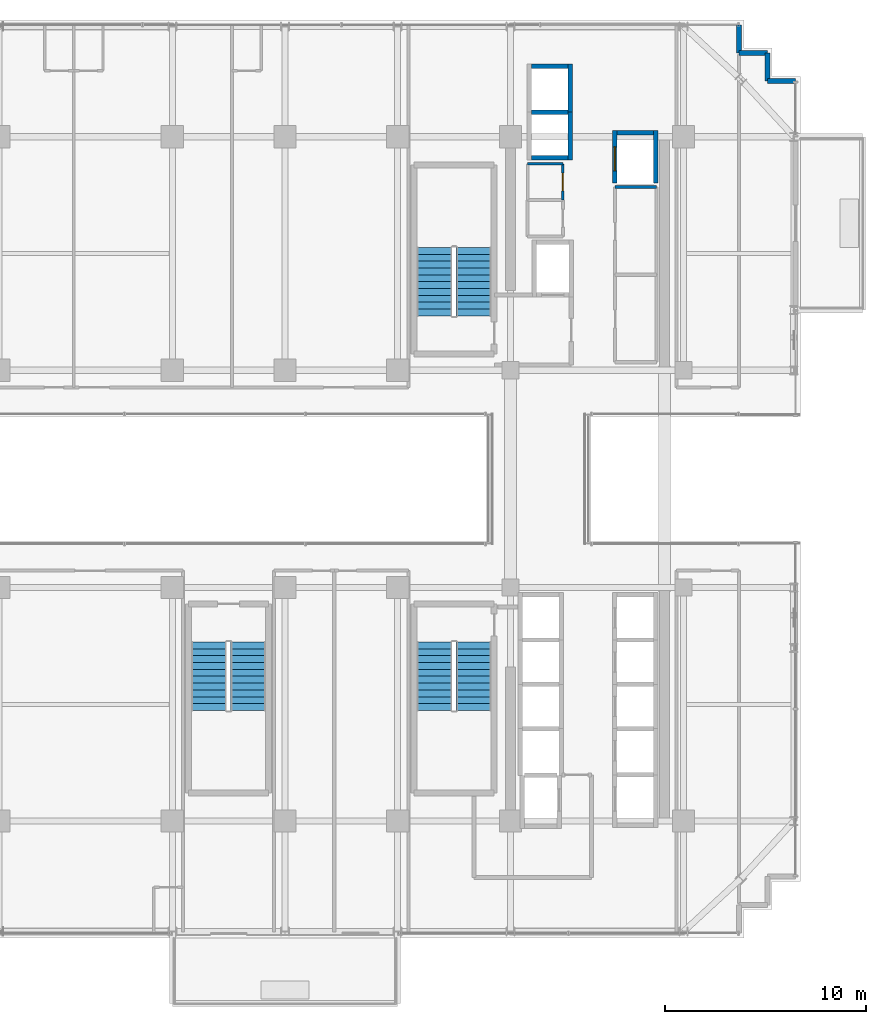
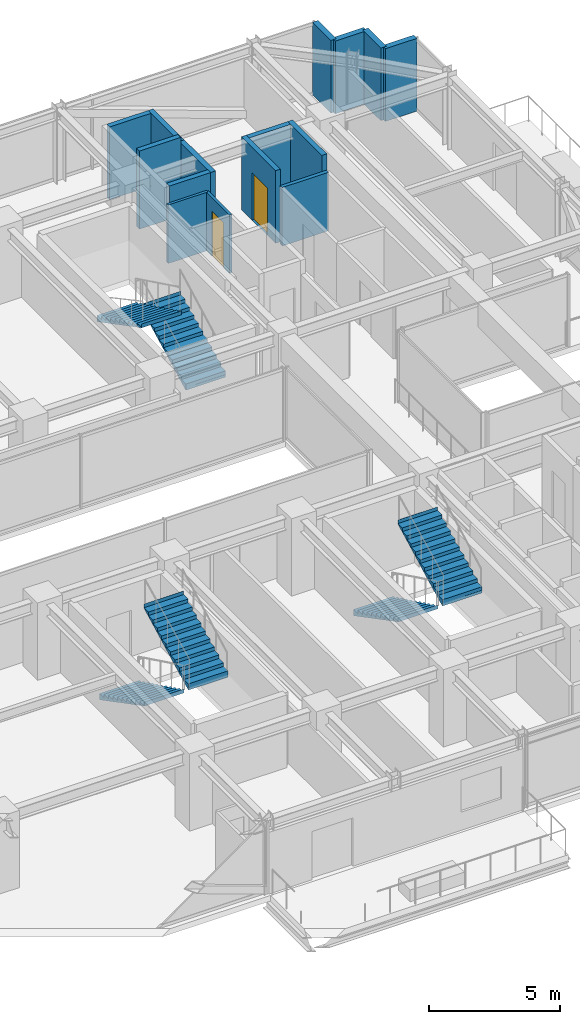
# One storey, part 34 of 38: 15 walls, 6 stair flights, 2 doors, 2 openings, 3 elements without a shape of their own.
"""IFC4 building model written with IfcOpenShell, lengths in metres."""

from ifc_helpers import new_model, si_unit, direction, frame, frame_2d, origin, place, context, subcontext, project, spatial, polyline, rectangle, outline, extrude, source, transform, mapped, material, layer, layer_set, type_object, element, fill, aggregate, save


model = new_model("IFC4")

# Units and contexts
model_context = context("Model", 3, precision=1e-05, world=origin(), true_north=direction((0.0, 1.0)))
body_context = subcontext(model_context, "Body", "Model", "MODEL_VIEW")
ifc_project = project(units=[si_unit("LENGTHUNIT", "METRE"), si_unit("AREAUNIT", "SQUARE_METRE"), si_unit("VOLUMEUNIT", "CUBIC_METRE"), si_unit("PLANEANGLEUNIT", "RADIAN"), si_unit("MASSUNIT", "GRAM", prefix="KILO")], contexts=[model_context])

# Site, building, storey
site_placement = place(None, origin())
site = spatial("IfcSite", under=ifc_project, at=site_placement, CompositionType="ELEMENT")
building_placement = place(site_placement, origin())
building = spatial("IfcBuilding", under=site, at=building_placement, Name="Nahalor Promenade Grand Hotel", CompositionType="ELEMENT")
storey_placement = place(building_placement, frame((0.0, 0.0, 163.60009765625)))
storey = spatial("IfcBuildingStorey", under=building, at=storey_placement, Name="L41", CompositionType="ELEMENT", Elevation=163.60009765625)

# Walls
ifc_material_1 = material(Name="Concrete B-50 (C40/50)", Category="concrete")
ifc_layer_1 = layer(ifc_material_1, 0.219970703125)
ifc_layer_set_1 = layer_set([ifc_layer_1], Name="Concrete B-50 (C40/50)")
wall_type_1 = type_object("IfcWallType", Name="Wall-LiftShaft-220", PredefinedType="SHEAR", material=ifc_layer_set_1)
shared_shape_1 = source(origin(), body_context, "Body", "SweptSolid", [
    extrude(rectangle(XDim=1.820068359375, YDim=0.219970703125, at=frame_2d((0.91015625, 0.0))), origin(), (0.0, 0.0, 1.0), 3.64990234375),
])
wall_1_placement = place(storey_placement, frame((9.43994140625, 18.22509765625, 0.0), z_axis=(0.0, 0.0, 1.0), x_axis=(1.0, 0.0, 0.0)))
element("IfcWall", 1, at=wall_1_placement, inside=storey, type_object=wall_type_1, Name="L41 Lift OB1 Hoistway Wall N", PredefinedType="SHEAR", context=body_context, shape_type="MappedRepresentation", body=[
    mapped(shared_shape_1, transform((0.0, 0.0, 0.0), scale=1.0)),
])
shared_shape_2 = source(origin(), body_context, "Body", "SweptSolid", [
    extrude(rectangle(XDim=1.820068359375, YDim=0.219970703125, at=frame_2d((0.91015625, 0.0))), origin(), (0.0, 0.0, 1.0), 3.389892578125),
])
for number, where, z_axis, x_axis, name in (
    (2, (9.43994140625, 15.949951171875, 0.0), (0.0, 0.0, 1.0), (1.0, 0.0, 0.0), "L41 Lift OB1 Hoistway Wall S"),
    (3, (9.43994140625, 20.5, 0.0), (0.0, 0.0, 1.0), (1.0, 0.0, 0.0), "L41 Lift OB2 Hoistway Wall N"),
    (4, (13.68994140625, 17.199951171875, 0.0), (0.0, 0.0, 1.0), (1.0, 0.0, 0.0), "L41 Lift SV1 Hoistway Wall N"),
):
    element("IfcWall", number, at=place(storey_placement, frame(where, z_axis=z_axis, x_axis=x_axis)), inside=storey, type_object=wall_type_1, Name=name, PredefinedType="SHEAR", context=body_context, shape_type="MappedRepresentation", body=[
        mapped(shared_shape_2, transform((0.0, 0.0, 0.0), scale=1.0)),
    ])
shared_shape_3 = source(origin(), body_context, "Body", "SweptSolid", [
    extrude(rectangle(XDim=2.385009765625, YDim=0.219970703125, at=frame_2d((1.1923828125, 0.0))), origin(), (0.0, 0.0, 1.0), 3.389892578125),
])
for number, where, z_axis, x_axis, name in (
    (5, (11.3701171875, 15.840087890625, 0.0), (0.0, 0.0, 1.0), (0.0, 1.0, 0.0), "L41 Lift OB1 Hoistway Wall E"),
    (6, (11.3701171875, 18.22509765625, 0.0), (0.0, 0.0, 1.0), (0.0, 1.0, 0.0), "L41 Lift OB2 Hoistway Wall E"),
):
    element("IfcWall", number, at=place(storey_placement, frame(where, z_axis=z_axis, x_axis=x_axis)), inside=storey, type_object=wall_type_1, Name=name, PredefinedType="SHEAR", context=body_context, shape_type="MappedRepresentation", body=[
        mapped(shared_shape_3, transform((0.0, 0.0, 0.0), scale=1.0)),
    ])

# Wall, opening, door
shared_shape_4 = source(origin(), body_context, "Body", "SweptSolid", [
    extrude(rectangle(XDim=2.610107421875, YDim=0.219970703125, at=frame_2d((1.30517578125, 0.0))), origin(), (0.0, 0.0, 1.0), 3.389892578125),
])
wall_2_placement = place(storey_placement, frame((13.580078125, 14.699951171875, 0.0), z_axis=(0.0, 0.0, 1.0), x_axis=(0.0, 1.0, 0.0)))
wall_2 = element("IfcWall", 7, at=wall_2_placement, inside=storey, type_object=wall_type_1, Name="L41 Lift SV1 Hoistway Wall W", PredefinedType="SHEAR", context=body_context, shape_type="MappedRepresentation", body=[
    mapped(shared_shape_4, transform((0.0, 0.0, 0.0), scale=1.0)),
])
opening_1_placement = place(wall_2_placement, frame((0.60009765625, 0.0, 0.0)))
opening_1 = element("IfcOpeningElement", 8, at=opening_1_placement, cuts=wall_2, Name="Opening LD-03", PredefinedType="OPENING", context=body_context, shape_type="SweptSolid", body=[
    extrude(rectangle(XDim=1.199951171875, YDim=2.199951171875, at=frame_2d((0.60009765625, 1.10009765625))), frame((0.0, 0.119873046875, 0.0), z_axis=(0.0, -1.0, 0.0), x_axis=(1.0, 0.0, 0.0)), (0.0, 0.0, 1.0), 0.239990234375),
])
ifc_material_2 = material(Name="Steel S355JR", Category="steel")
door_type_1 = type_object("IfcDoorType", Name="Door-LiftService-1200", OperationType="DOUBLE_DOOR_SLIDING", PredefinedType="DOOR", material=ifc_material_2)
shared_shape_5 = source(origin(), body_context, "Body", "SweptSolid", [
    extrude(rectangle(XDim=1.199951171875, YDim=2.199951171875, at=frame_2d((0.60009765625, 1.10009765625))), frame((0.0, 0.02490234375, 0.0), z_axis=(0.0, -1.0, 0.0), x_axis=(1.0, 0.0, 0.0)), (0.0, 0.0, 1.0), 0.050048828125),
])
door_1_placement = place(opening_1_placement, origin())
door_1 = element("IfcDoor", 9, at=door_1_placement, inside=storey, type_object=door_type_1, Name="DR-LIFT-SV1-L41", OperationType="DOUBLE_DOOR_SLIDING", OverallHeight=2.199951171875, OverallWidth=1.199951171875, PredefinedType="DOOR", context=body_context, shape_type="MappedRepresentation", body=[
    mapped(shared_shape_5, transform((0.0, 0.0, 0.0), scale=1.0)),
])
fill(opening_1, door_1)

# Walls
wall_3_placement = place(storey_placement, frame((15.6201171875, 14.699951171875, 0.0), z_axis=(0.0, 0.0, 1.0), x_axis=(0.0, 1.0, 0.0)))
element("IfcWall", 10, at=wall_3_placement, inside=storey, type_object=wall_type_1, Name="L41 Lift SV1 Hoistway Wall E", PredefinedType="SHEAR", context=body_context, shape_type="MappedRepresentation", body=[
    mapped(shared_shape_4, transform((0.0, 0.0, 0.0), scale=1.0)),
])
ifc_material_3 = material(Name="Concrete B-40 (C32/40)", Category="concrete")
ifc_layer_2 = layer(ifc_material_3, 0.25)
ifc_layer_set_2 = layer_set([ifc_layer_2], Name="Concrete B-40 (C32/40)")
wall_type_2 = type_object("IfcWallType", Name="Wall-BronzePier-250", PredefinedType="STANDARD", material=ifc_layer_set_2)
shared_shape_6 = source(origin(), body_context, "Body", "SweptSolid", [
    extrude(rectangle(XDim=1.400146484375, YDim=0.25, at=frame_2d((0.7001953125, 0.0))), origin(), (0.0, 0.0, 1.0), 3.389892578125),
])
for number, where, z_axis, x_axis, name in (
    (11, (21.159912109375, 19.760009765625, 0.0), (0.0, 0.0, 1.0), (1.0, 0.0, 0.0), "W-L41-SR-05"),
    (12, (19.760009765625, 21.159912109375, 0.0), (0.0, 0.0, 1.0), (0.0, 1.0, 0.0), "W-L41-SR-08"),
):
    element("IfcWall", number, at=place(storey_placement, frame(where, z_axis=z_axis, x_axis=x_axis)), inside=storey, type_object=wall_type_2, Name=name, PredefinedType="STANDARD", context=body_context, shape_type="MappedRepresentation", body=[
        mapped(shared_shape_6, transform((0.0, 0.0, 0.0), scale=1.0)),
    ])
shared_shape_7 = source(origin(), body_context, "Body", "SweptSolid", [
    extrude(rectangle(XDim=1.39990234375, YDim=0.25, at=frame_2d((0.699951171875, 0.0))), origin(), (0.0, 0.0, 1.0), 3.389892578125),
])
for number, where, z_axis, x_axis, name in (
    (13, (21.159912109375, 19.760009765625, 0.0), (0.0, 0.0, 1.0), (0.0, 1.0, 0.0), "W-L41-SR-06"),
    (14, (19.760009765625, 21.159912109375, 0.0), (0.0, 0.0, 1.0), (1.0, 0.0, 0.0), "W-L41-SR-07"),
):
    element("IfcWall", number, at=place(storey_placement, frame(where, z_axis=z_axis, x_axis=x_axis)), inside=storey, type_object=wall_type_2, Name=name, PredefinedType="STANDARD", context=body_context, shape_type="MappedRepresentation", body=[
        mapped(shared_shape_7, transform((0.0, 0.0, 0.0), scale=1.0)),
    ])
ifc_material_4 = material(Name="Acoustic Mineral Gypsum", Category="gypsum")
ifc_layer_3 = layer(ifc_material_4, 0.159912109375)
ifc_layer_set_3 = layer_set([ifc_layer_3], Name="Acoustic Mineral Gypsum")
wall_type_3 = type_object("IfcWallType", Name="Wall-PartCorridor-160", PredefinedType="PARTITIONING", material=ifc_layer_set_3)
shared_shape_8 = source(origin(), body_context, "Body", "SweptSolid", [
    extrude(rectangle(XDim=2.0498046875, YDim=0.159912109375, at=frame_2d((1.02490234375, 0.0))), origin(), (0.0, 0.0, 1.0), 2.72998046875),
])
wall_4_placement = place(storey_placement, frame((13.60009765625, 14.5, 0.0), z_axis=(0.0, 0.0, 1.0), x_axis=(1.0, 0.0, 0.0)))
element("IfcWall", 15, at=wall_4_placement, inside=storey, type_object=wall_type_3, Name="W-L41-FRB1B-N", PredefinedType="PARTITIONING", context=body_context, shape_type="MappedRepresentation", body=[
    mapped(shared_shape_8, transform((0.0, 0.0, 0.0), scale=1.0)),
])
ifc_layer_4 = layer(ifc_material_4, 0.1201171875)
ifc_layer_set_4 = layer_set([ifc_layer_4], Name="Acoustic Mineral Gypsum")
wall_type_4 = type_object("IfcWallType", Name="Wall-PartBath-120", PredefinedType="PARTITIONING", material=ifc_layer_set_4)
shared_shape_9 = source(origin(), body_context, "Body", "SweptSolid", [
    extrude(rectangle(XDim=1.75, YDim=0.1201171875, at=frame_2d((0.875, 0.0))), origin(), (0.0, 0.0, 1.0), 2.72998046875),
])
wall_5_placement = place(storey_placement, frame((9.25, 15.64990234375, 0.0), z_axis=(0.0, 0.0, 1.0), x_axis=(1.0, 0.0, 0.0)))
element("IfcWall", 16, at=wall_5_placement, inside=storey, type_object=wall_type_4, Name="W-L41-CK2B-N", PredefinedType="PARTITIONING", context=body_context, shape_type="MappedRepresentation", body=[
    mapped(shared_shape_9, transform((0.0, 0.0, 0.0), scale=1.0)),
])

# Wall, opening, door
shared_shape_10 = source(origin(), body_context, "Body", "SweptSolid", [
    extrude(rectangle(XDim=1.7998046875, YDim=0.1201171875, at=frame_2d((0.89990234375, 0.0))), origin(), (0.0, 0.0, 1.0), 2.72998046875),
])
wall_6_placement = place(storey_placement, frame((11.0, 13.85009765625, 0.0), z_axis=(0.0, 0.0, 1.0), x_axis=(0.0, 1.0, 0.0)))
wall_6 = element("IfcWall", 17, at=wall_6_placement, inside=storey, type_object=wall_type_4, Name="W-L41-CK2B-E", PredefinedType="PARTITIONING", context=body_context, shape_type="MappedRepresentation", body=[
    mapped(shared_shape_10, transform((0.0, 0.0, 0.0), scale=1.0)),
])
opening_2_placement = place(wall_6_placement, frame((0.4599609375, 0.0, 0.0)))
opening_2 = element("IfcOpeningElement", 18, at=opening_2_placement, cuts=wall_6, Name="Opening D-03", PredefinedType="OPENING", context=body_context, shape_type="SweptSolid", body=[
    extrude(rectangle(XDim=0.8798828125, YDim=2.10009765625, at=frame_2d((0.43994140625, 1.050048828125))), frame((0.0, 0.070068359375, 0.0), z_axis=(0.0, -1.0, 0.0), x_axis=(1.0, 0.0, 0.0)), (0.0, 0.0, 1.0), 0.14013671875),
])
ifc_material_5 = material(Name="Fire-Rated Timber Composite", Category="wood")
door_type_2 = type_object("IfcDoorType", Name="Door-BathSwing-880", OperationType="NOTDEFINED", PredefinedType="DOOR", material=ifc_material_5)
shared_shape_11 = source(origin(), body_context, "Body", "SweptSolid", [
    extrude(rectangle(XDim=0.8798828125, YDim=2.10009765625, at=frame_2d((0.43994140625, 1.050048828125))), frame((0.0, 0.02490234375, 0.0), z_axis=(0.0, -1.0, 0.0), x_axis=(1.0, 0.0, 0.0)), (0.0, 0.0, 1.0), 0.050048828125),
])
door_2_placement = place(opening_2_placement, origin())
door_2 = element("IfcDoor", 19, at=door_2_placement, inside=storey, type_object=door_type_2, Name="DR-L41-CK2B", OperationType="SINGLE_SWING_RIGHT", OverallHeight=2.10009765625, OverallWidth=0.8798828125, PredefinedType="DOOR", context=body_context, shape_type="MappedRepresentation", body=[
    mapped(shared_shape_11, transform((0.0, 0.0, 0.0), scale=1.0)),
])
fill(opening_2, door_2)

# Stair, stair flights
stair_type_1 = type_object("IfcStairType", Name="Stair-ST1", PredefinedType="HALF_TURN_STAIR", material=ifc_material_1)
stair_1_placement = place(storey_placement, origin())
stair_1 = element("IfcStair", 20, at=stair_1_placement, inside=storey, type_object=stair_type_1, Name="L41 ST1", PredefinedType="HALF_TURN_STAIR")
ifc_layer_5 = layer(ifc_material_1, 0.179931640625)
ifc_layer_set_5 = layer_set([ifc_layer_5], Name="Concrete B-50 (C40/50)")
stair_flight_type_1 = type_object("IfcStairFlightType", Name="Flight-ST1", PredefinedType="STRAIGHT", material=ifc_layer_set_5)
shared_shape_12 = source(origin(), body_context, "Body", "SweptSolid", [
    extrude(outline(polyline([(-0.00390625, -0.1201171875), (-0.00390625, 0.0), (0.0, 0.0), (0.0, 0.166015625), (0.340087890625, 0.166015625), (0.340087890625, 0.331787109375), (0.679931640625, 0.331787109375), (0.679931640625, 0.497802734375), (1.02001953125, 0.497802734375), (1.02001953125, 0.66357421875), (1.360107421875, 0.66357421875), (1.360107421875, 0.82958984375), (1.699951171875, 0.82958984375), (1.699951171875, 0.995361328125), (2.0400390625, 0.995361328125), (2.0400390625, 1.161376953125), (2.3798828125, 1.161376953125), (2.3798828125, 1.327392578125), (2.719970703125, 1.327392578125), (2.719970703125, 1.4931640625), (3.06005859375, 1.4931640625), (3.06005859375, 1.6591796875), (3.39990234375, 1.6591796875), (3.39990234375, 1.824951171875), (3.404052734375, 1.824951171875), (3.404052734375, 1.64501953125), (0.02001953125, -0.1201171875), (-0.00390625, -0.1201171875)])), frame((0.0, 0.875, 0.0), z_axis=(0.0, -1.0, 0.0), x_axis=(1.0, 0.0, 0.0)), (0.0, 0.0, 1.0), 1.75),
])
stair_flight_1_placement = place(storey_placement, frame((6.574951171875, 8.10009765625, 0.0), z_axis=(0.0, 0.0, 1.0), x_axis=(0.0, 1.0, 0.0)))
stair_flight_1 = element("IfcStairFlight", 21, at=stair_flight_1_placement, type_object=stair_flight_type_1, Name="ST1 flight 1", NumberOfRisers=11, NumberOfTreads=10, PredefinedType="STRAIGHT", RiserHeight=0.165909091, TreadLength=0.34, context=body_context, shape_type="MappedRepresentation", body=[
    mapped(shared_shape_12, transform((0.0, 0.0, 0.0), scale=1.0)),
])
stair_flight_2_placement = place(storey_placement, frame((4.625, 11.5, 1.824951171875), z_axis=(0.0, 0.0, 1.0), x_axis=(0.0, -1.0, 0.0)))
stair_flight_2 = element("IfcStairFlight", 22, at=stair_flight_2_placement, type_object=stair_flight_type_1, Name="ST1 flight 2", NumberOfRisers=11, NumberOfTreads=10, PredefinedType="STRAIGHT", RiserHeight=0.165909091, TreadLength=0.34, context=body_context, shape_type="MappedRepresentation", body=[
    mapped(shared_shape_12, transform((0.0, 0.0, 0.0), scale=1.0)),
])
aggregate(stair_1, [stair_flight_1, stair_flight_2])

stair_type_2 = type_object("IfcStairType", Name="Stair-ST2", PredefinedType="HALF_TURN_STAIR", material=ifc_material_1)
stair_2_placement = place(storey_placement, origin())
stair_2 = element("IfcStair", 23, at=stair_2_placement, inside=storey, type_object=stair_type_2, Name="L41 ST2", PredefinedType="HALF_TURN_STAIR")
ifc_layer_6 = layer(ifc_material_1, 0.18994140625)
ifc_layer_set_6 = layer_set([ifc_layer_6], Name="Concrete B-50 (C40/50)")
stair_flight_type_2 = type_object("IfcStairFlightType", Name="Flight-ST2", PredefinedType="STRAIGHT", material=ifc_layer_set_6)
shared_shape_13 = source(origin(), body_context, "Body", "SweptSolid", [
    extrude(outline(polyline([(-0.00390625, -0.1201171875), (-0.00390625, 0.0), (0.0, 0.0), (0.0, 0.166015625), (0.340087890625, 0.166015625), (0.340087890625, 0.331787109375), (0.679931640625, 0.331787109375), (0.679931640625, 0.497802734375), (1.02001953125, 0.497802734375), (1.02001953125, 0.66357421875), (1.360107421875, 0.66357421875), (1.360107421875, 0.82958984375), (1.699951171875, 0.82958984375), (1.699951171875, 0.995361328125), (2.0400390625, 0.995361328125), (2.0400390625, 1.161376953125), (2.3798828125, 1.161376953125), (2.3798828125, 1.327392578125), (2.719970703125, 1.327392578125), (2.719970703125, 1.4931640625), (3.06005859375, 1.4931640625), (3.06005859375, 1.6591796875), (3.39990234375, 1.6591796875), (3.39990234375, 1.824951171875), (3.404052734375, 1.824951171875), (3.404052734375, 1.64501953125), (0.02001953125, -0.1201171875), (-0.00390625, -0.1201171875)])), frame((0.0, 0.875, 0.0), z_axis=(0.0, -1.0, 0.0), x_axis=(1.0, 0.0, 0.0)), (0.0, 0.0, 1.0), 1.75),
])
stair_flight_3_placement = place(storey_placement, frame((4.625, -8.10009765625, 0.0), z_axis=(0.0, 0.0, 1.0), x_axis=(0.0, -1.0, 0.0)))
stair_flight_3 = element("IfcStairFlight", 24, at=stair_flight_3_placement, type_object=stair_flight_type_2, Name="ST2 flight 1", NumberOfRisers=11, NumberOfTreads=10, PredefinedType="STRAIGHT", RiserHeight=0.165909091, TreadLength=0.34, context=body_context, shape_type="MappedRepresentation", body=[
    mapped(shared_shape_13, transform((0.0, 0.0, 0.0), scale=1.0)),
])
stair_flight_4_placement = place(storey_placement, frame((6.574951171875, -11.5, 1.824951171875), z_axis=(0.0, 0.0, 1.0), x_axis=(0.0, 1.0, 0.0)))
stair_flight_4 = element("IfcStairFlight", 25, at=stair_flight_4_placement, type_object=stair_flight_type_2, Name="ST2 flight 2", NumberOfRisers=11, NumberOfTreads=10, PredefinedType="STRAIGHT", RiserHeight=0.165909091, TreadLength=0.34, context=body_context, shape_type="MappedRepresentation", body=[
    mapped(shared_shape_13, transform((0.0, 0.0, 0.0), scale=1.0)),
])
aggregate(stair_2, [stair_flight_3, stair_flight_4])

stair_type_3 = type_object("IfcStairType", Name="Stair-ST3", PredefinedType="HALF_TURN_STAIR", material=ifc_material_1)
stair_3_placement = place(storey_placement, origin())
stair_3 = element("IfcStair", 26, at=stair_3_placement, inside=storey, type_object=stair_type_3, Name="L41 ST3", PredefinedType="HALF_TURN_STAIR")
ifc_layer_7 = layer(ifc_material_1, 0.199951171875)
ifc_layer_set_7 = layer_set([ifc_layer_7], Name="Concrete B-50 (C40/50)")
stair_flight_type_3 = type_object("IfcStairFlightType", Name="Flight-ST3", PredefinedType="STRAIGHT", material=ifc_layer_set_7)
shared_shape_14 = source(origin(), body_context, "Body", "SweptSolid", [
    extrude(outline(polyline([(-0.00390625, -0.1201171875), (-0.00390625, 0.0), (0.0, 0.0), (0.0, 0.166015625), (0.340087890625, 0.166015625), (0.340087890625, 0.331787109375), (0.679931640625, 0.331787109375), (0.679931640625, 0.497802734375), (1.02001953125, 0.497802734375), (1.02001953125, 0.66357421875), (1.360107421875, 0.66357421875), (1.360107421875, 0.82958984375), (1.699951171875, 0.82958984375), (1.699951171875, 0.995361328125), (2.0400390625, 0.995361328125), (2.0400390625, 1.161376953125), (2.3798828125, 1.161376953125), (2.3798828125, 1.327392578125), (2.719970703125, 1.327392578125), (2.719970703125, 1.4931640625), (3.06005859375, 1.4931640625), (3.06005859375, 1.6591796875), (3.39990234375, 1.6591796875), (3.39990234375, 1.824951171875), (3.404052734375, 1.824951171875), (3.404052734375, 1.64501953125), (0.02001953125, -0.1201171875), (-0.00390625, -0.1201171875)])), frame((0.0, 0.875, 0.0), z_axis=(0.0, -1.0, 0.0), x_axis=(1.0, 0.0, 0.0)), (0.0, 0.0, 1.0), 1.75),
])
stair_flight_5_placement = place(storey_placement, frame((-6.574951171875, -8.10009765625, 0.0), z_axis=(0.0, 0.0, 1.0), x_axis=(0.0, -1.0, 0.0)))
stair_flight_5 = element("IfcStairFlight", 27, at=stair_flight_5_placement, type_object=stair_flight_type_3, Name="ST3 flight 1", NumberOfRisers=11, NumberOfTreads=10, PredefinedType="STRAIGHT", RiserHeight=0.165909091, TreadLength=0.34, context=body_context, shape_type="MappedRepresentation", body=[
    mapped(shared_shape_14, transform((0.0, 0.0, 0.0), scale=1.0)),
])
stair_flight_6_placement = place(storey_placement, frame((-4.625, -11.5, 1.824951171875), z_axis=(0.0, 0.0, 1.0), x_axis=(0.0, 1.0, 0.0)))
stair_flight_6 = element("IfcStairFlight", 28, at=stair_flight_6_placement, type_object=stair_flight_type_3, Name="ST3 flight 2", NumberOfRisers=11, NumberOfTreads=10, PredefinedType="STRAIGHT", RiserHeight=0.165909091, TreadLength=0.34, context=body_context, shape_type="MappedRepresentation", body=[
    mapped(shared_shape_14, transform((0.0, 0.0, 0.0), scale=1.0)),
])
aggregate(stair_3, [stair_flight_5, stair_flight_6])

save(model, "model.ifc")
